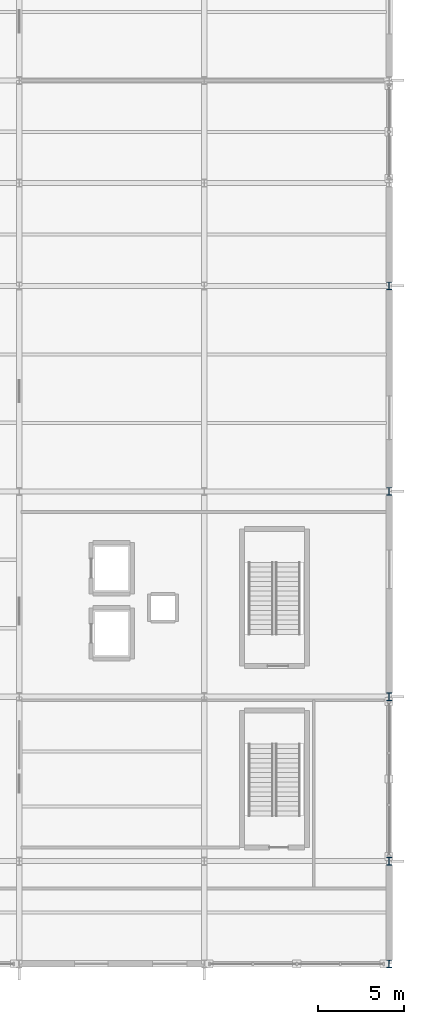
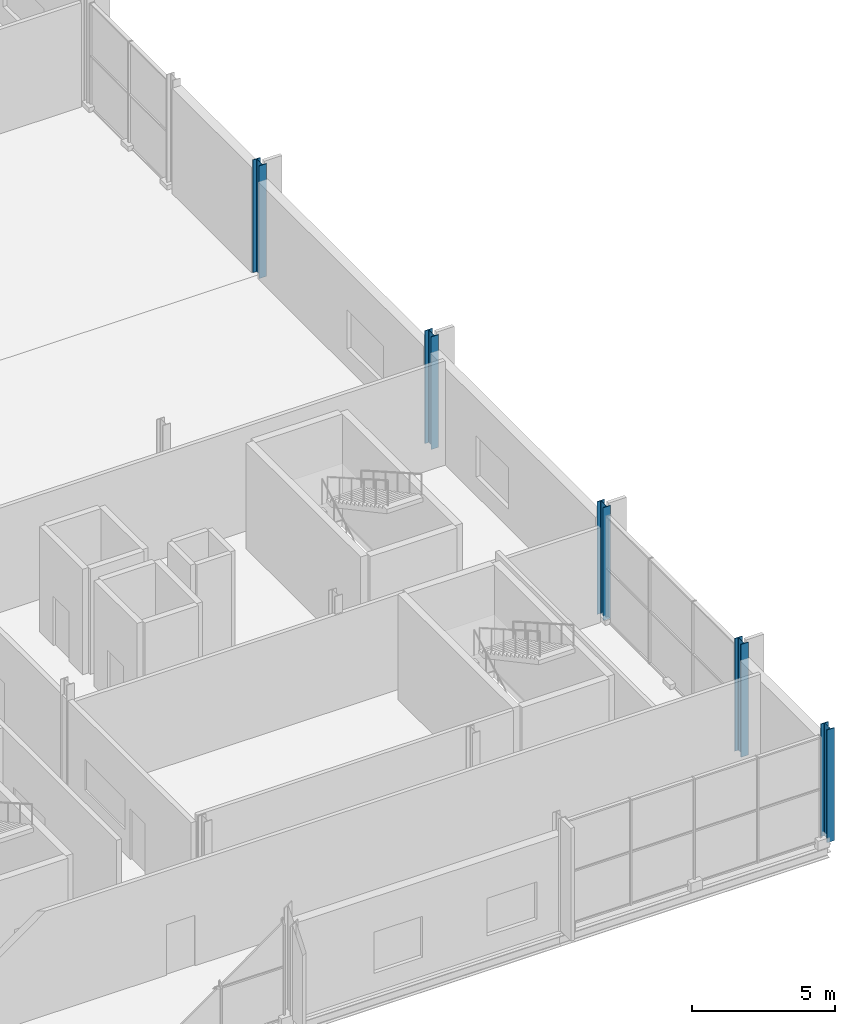
# One storey, part 20 of 159: 5 columns.
"""IFC4 building model written with IfcOpenShell, lengths in metres."""

import ifcopenshell
import ifcopenshell.guid

model = None  # the IFC model being written
_history = None  # IfcOwnerHistory: only IFC2X3 demands one
_inside = {}  # id of a spatial element -> (the spatial element, [elements in it])
_under = {}  # id of a project, library or spatial element -> (it, [spatial elements below it])
_declared = {}  # id of a project -> (the project, [libraries it declares])
_typed = {}  # id of a type object -> (the type object, [elements of that type])
_made_of = {}  # id of a material, layer set ... -> (it, [elements and type objects made of it])


def new_model(schema):
    """Start an empty IFC model of exactly this schema.

    Asked for "IFC4X3", IfcOpenShell would pick the latest addendum, in which some entities
    have other attributes; the version numbers below select the first issue.
    IFC2X3 requires an IfcOwnerHistory on every rooted entity: one is made here for all.
    """
    global model, _history
    if schema == "IFC4X3":
        model = ifcopenshell.file(schema_version=(4, 3, 0, 0))
    else:
        model = ifcopenshell.file(schema=schema)
    _inside.clear()
    _under.clear()
    _declared.clear()
    _typed.clear()
    _made_of.clear()
    _history = None
    if model.schema == "IFC2X3":
        org = make("IfcOrganization", Name="unknown")
        user = make(
            "IfcPersonAndOrganization",
            ThePerson=make("IfcPerson", FamilyName="unknown"),
            TheOrganization=org,
        )
        app = make(
            "IfcApplication",
            ApplicationDeveloper=org,
            Version="unknown",
            ApplicationFullName="unknown",
            ApplicationIdentifier="unknown",
        )
        _history = make(
            "IfcOwnerHistory",
            OwningUser=user,
            OwningApplication=app,
            ChangeAction="ADDED",
            CreationDate=0,
        )
    return model


def make(cls, **values):
    """One entity of the class cls with the attributes given. An attribute that is None is left unset."""
    return model.create_entity(
        cls, **{name: value for name, value in values.items() if value is not None}
    )


def rooted(cls, **values):
    """An entity with a GlobalId (a new one), such as an element, a storey or a relation."""
    return make(cls, GlobalId=ifcopenshell.guid.new(), OwnerHistory=_history, **values)


def si_unit(unit_type, name, prefix=None):
    """IfcSIUnit, for example si_unit("LENGTHUNIT", "METRE", prefix="MILLI")."""
    return make("IfcSIUnit", UnitType=unit_type, Prefix=prefix, Name=name)


def assignment(units):
    """IfcUnitAssignment: the units of a project."""
    return None if units is None else make("IfcUnitAssignment", Units=units)


def point(xyz):
    """IfcCartesianPoint."""
    return None if xyz is None else make("IfcCartesianPoint", Coordinates=xyz)


def direction(xyz):
    """IfcDirection."""
    return None if xyz is None else make("IfcDirection", DirectionRatios=xyz)


def frame(location, z_axis=None, x_axis=None):
    """IfcAxis2Placement3D, a coordinate frame: its origin and axes. An axis left out is left unset."""
    return make(
        "IfcAxis2Placement3D",
        Location=point(location),
        Axis=direction(z_axis),
        RefDirection=direction(x_axis),
    )


def frame_2d(location, x_axis=None):
    """IfcAxis2Placement2D, a coordinate frame in the plane: its origin and x axis."""
    return make(
        "IfcAxis2Placement2D", Location=point(location), RefDirection=direction(x_axis)
    )


def origin():
    """The frame at (0, 0, 0) with its axes left unset."""
    return frame((0.0, 0.0, 0.0))


def origin_2d():
    """The frame at (0, 0) in the plane with its x axis left unset."""
    return frame_2d((0.0, 0.0))


def place(relative_to, where):
    """IfcLocalPlacement: puts the frame where relative to a parent placement (None: the world)."""
    return make(
        "IfcLocalPlacement", PlacementRelTo=relative_to, RelativePlacement=where
    )


def context(
    kind, dimensions, precision=None, world=None, true_north=None, identifier=None
):
    """IfcGeometricRepresentationContext, for example the 3D "Model" context."""
    return make(
        "IfcGeometricRepresentationContext",
        ContextIdentifier=identifier,
        ContextType=kind,
        CoordinateSpaceDimension=dimensions,
        Precision=precision,
        WorldCoordinateSystem=world,
        TrueNorth=true_north,
    )


def subcontext(parent, identifier, kind, view, scale=None):
    """IfcGeometricRepresentationSubContext, for example "Body" below "Model"."""
    return make(
        "IfcGeometricRepresentationSubContext",
        ContextIdentifier=identifier,
        ContextType=kind,
        ParentContext=parent,
        TargetScale=scale,
        TargetView=view,
    )


def project(units=None, contexts=None):
    """IfcProject with its units and contexts."""
    return rooted(
        "IfcProject",
        Name="project",
        RepresentationContexts=contexts,
        UnitsInContext=assignment(units),
    )


def spatial(cls, under=None, at=None, **own):
    """A site, building, storey or space (cls), placed at a placement, below another one or the project."""
    s = rooted(cls, ObjectPlacement=at, **own)
    if under is not None:
        _under.setdefault(under.id(), (under, []))[1].append(s)
    return s


def profile(cls, at=None, kind="AREA", **sizes):
    """A parametric profile (cls). Its sizes go by their IFC names, for example OverallWidth=200.0."""
    return make(cls, ProfileType=kind, Position=at, **sizes)


def i_section(**sizes):
    """IfcIShapeProfileDef."""
    return profile("IfcIShapeProfileDef", **sizes)


def extrude(swept, where, along, depth):
    """IfcExtrudedAreaSolid: the profile swept, set in the frame where, extruded along a direction by depth."""
    return make(
        "IfcExtrudedAreaSolid",
        SweptArea=swept,
        Position=where,
        ExtrudedDirection=direction(along),
        Depth=depth,
    )


def shape(context_of_items, identifier, shape_type, items):
    """IfcShapeRepresentation: the items that make up one representation, for example the "Body"."""
    return make(
        "IfcShapeRepresentation",
        ContextOfItems=context_of_items,
        RepresentationIdentifier=identifier,
        RepresentationType=shape_type,
        Items=items,
    )


def material(Name=None, Category=None):
    """IfcMaterial."""
    return make("IfcMaterial", Name=Name, Category=Category)


def material_profile(
    of_material, cross_section, Name=None, Category=None, Priority=None
):
    """IfcMaterialProfile: a cross section and its material."""
    return make(
        "IfcMaterialProfile",
        Name=Name,
        Material=of_material,
        Profile=cross_section,
        Priority=Priority,
        Category=Category,
    )


def profile_set(profiles, Name=None, composite=None):
    """IfcMaterialProfileSet."""
    return make(
        "IfcMaterialProfileSet",
        Name=Name,
        MaterialProfiles=profiles,
        CompositeProfile=composite,
    )


def made_of(thing, what):
    """Note that an element or type object is made of a material, layer set ...; save() writes the relation."""
    if what is not None:
        _made_of.setdefault(what.id(), (what, []))[1].append(thing)
    return thing


def type_object(cls, material=None, **own):
    """A type object (cls), such as IfcWallType, which elements share."""
    return made_of(rooted(cls, **own), material)


def element(
    cls,
    number,
    at=None,
    inside=None,
    cuts=None,
    type_object=None,
    material=None,
    context=None,
    identifier="Body",
    shape_type=None,
    held_by="IfcProductDefinitionShape",
    body=None,
    shapes=None,
    **own,
):
    """One element of the class cls, such as IfcWall. Its Tag is "e" and its number.

    at: its placement. inside: the storey or other place that contains it. cuts: it is an
    opening in that element (IfcRelVoidsElement). A single representation is given by context,
    identifier, shape_type and body (its items); several are given by shapes. held_by: the class
    of the entity that holds the representations. save() writes the other relations.
    """
    e = rooted(cls, Tag="e%d" % number, ObjectPlacement=at, **own)
    if body is not None:
        shapes = [shape(context, identifier, shape_type, body)]
    if shapes is not None:
        e.Representation = make(held_by, Representations=shapes)
    if inside is not None:
        _inside.setdefault(inside.id(), (inside, []))[1].append(e)
    if cuts is not None:
        rooted(
            "IfcRelVoidsElement", RelatingBuildingElement=cuts, RelatedOpeningElement=e
        )
    if type_object is not None:
        _typed.setdefault(type_object.id(), (type_object, []))[1].append(e)
    return made_of(e, material)


def aggregate(whole, parts):
    """IfcRelAggregates: a whole, such as a stair, and the parts it consists of."""
    return rooted("IfcRelAggregates", RelatingObject=whole, RelatedObjects=parts)


def save(model, path):
    """Write the relations noted so far, then the file.

    IfcRelAggregates (storeys below a building ...), IfcRelContainedInSpatialStructure (elements
    in a storey), IfcRelDefinesByType, IfcRelAssociatesMaterial and IfcRelDeclares: one each for
    every whole, place, type object, material and project.
    """
    for whole, parts in _under.values():
        aggregate(whole, parts)
    for where, things in _inside.values():
        rooted(
            "IfcRelContainedInSpatialStructure",
            RelatedElements=things,
            RelatingStructure=where,
        )
    for kind, things in _typed.values():
        rooted("IfcRelDefinesByType", RelatedObjects=things, RelatingType=kind)
    for what, things in _made_of.values():
        rooted("IfcRelAssociatesMaterial", RelatedObjects=things, RelatingMaterial=what)
    for by, libraries in _declared.values():
        rooted("IfcRelDeclares", RelatingContext=by, RelatedDefinitions=libraries)
    model.write(path)


model = new_model("IFC4")

# Units and contexts
model_context = context("Model", 3, precision=1e-05, world=origin(), true_north=direction((0.0, 1.0)))
body_context = subcontext(model_context, "Body", "Model", "MODEL_VIEW")
ifc_project = project(units=[si_unit("LENGTHUNIT", "METRE"), si_unit("AREAUNIT", "SQUARE_METRE"), si_unit("VOLUMEUNIT", "CUBIC_METRE"), si_unit("PLANEANGLEUNIT", "RADIAN"), si_unit("MASSUNIT", "GRAM", prefix="KILO")], contexts=[model_context])

# Site, building, storey
site_placement = place(None, origin())
site = spatial("IfcSite", under=ifc_project, at=site_placement, CompositionType="ELEMENT")
building_placement = place(site_placement, origin())
building = spatial("IfcBuilding", under=site, at=building_placement, Name="Merenkruunu Market Hall", CompositionType="ELEMENT")
storey_placement = place(building_placement, frame((0.0, 0.0, 5.39990234375)))
storey = spatial("IfcBuildingStorey", under=building, at=storey_placement, Name="L01", CompositionType="ELEMENT", Elevation=5.39990234375)

# Columns
ifc_material = material(Name="Steel S355J2", Category="steel")
ifc_material_profile = material_profile(ifc_material, i_section(OverallWidth=0.300048828125, OverallDepth=0.449951171875, WebThickness=0.013916015625, FlangeThickness=0.02587890625, FilletRadius=0.027099609375, at=origin_2d()), Name="HEB 450")
ifc_profile_set = profile_set([ifc_material_profile], Name="Steel S355J2")
column_type = type_object("IfcColumnType", Name="Structural Column C03", PredefinedType="COLUMN", material=ifc_profile_set)
for number, where, z_axis, x_axis, name in (
    (1, (192.0, 0.0, 0.0), (0.0, 0.0, 1.0), (1.0, 0.0, 0.0), "COL-L01-U-01"),
    (2, (192.0, 6.0, 0.0), (0.0, 0.0, 1.0), (1.0, 0.0, 0.0), "COL-L01-U-02"),
    (3, (192.0, 15.60009765625, 0.0), (0.0, 0.0, 1.0), (1.0, 0.0, 0.0), "COL-L01-U-03"),
    (4, (192.0, 27.60009765625, 0.0), (0.0, 0.0, 1.0), (1.0, 0.0, 0.0), "COL-L01-U-04"),
    (5, (192.0, 39.60009765625, 0.0), (0.0, 0.0, 1.0), (1.0, 0.0, 0.0), "COL-L01-U-05"),
):
    element("IfcColumn", number, at=place(storey_placement, frame(where, z_axis=z_axis, x_axis=x_axis)), inside=storey, type_object=column_type, Name=name, PredefinedType="COLUMN", context=body_context, shape_type="SweptSolid", body=[
        extrude(i_section(OverallWidth=0.300048828125, OverallDepth=0.449951171875, WebThickness=0.013916015625, FlangeThickness=0.02587890625, FilletRadius=0.027099609375, at=origin_2d()), origin(), (0.0, 0.0, 1.0), 4.800048828125),
    ])

save(model, "model.ifc")
